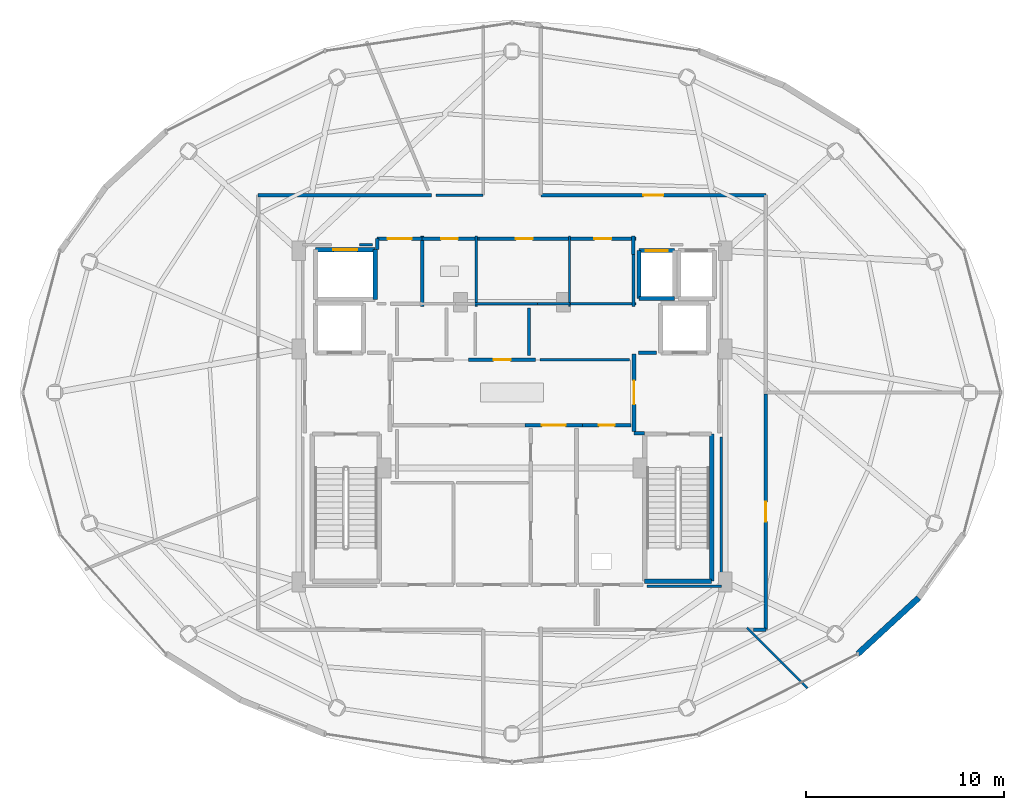
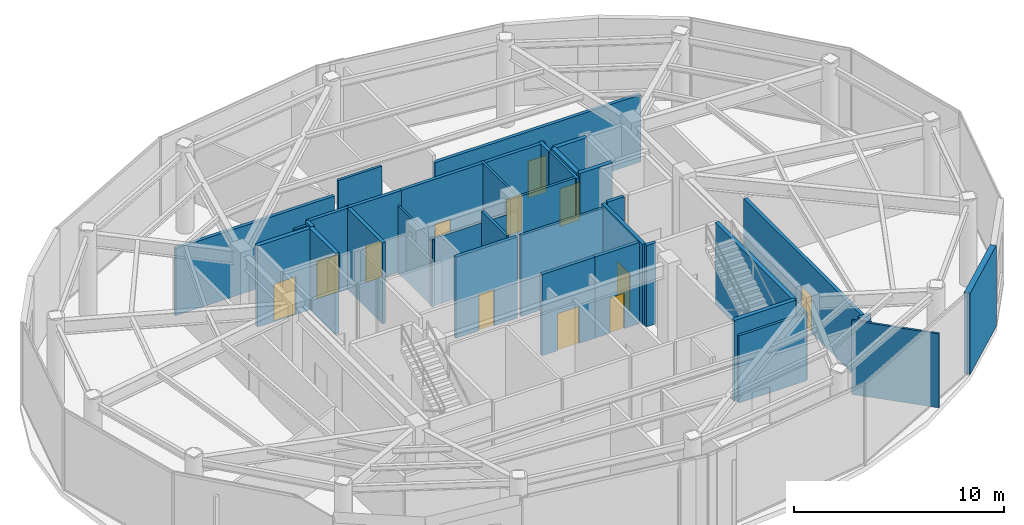
# One storey, part 21 of 24: 38 walls, 12 doors, 12 openings.
"""IFC4 building model written with IfcOpenShell, lengths in metres."""

from ifc_helpers import new_model, si_unit, direction, frame, frame_2d, origin, place, context, subcontext, project, spatial, rectangle, extrude, material, layer, layer_set, type_object, element, fill, save


model = new_model("IFC4")

# Units and contexts
model_context = context("Model", 3, precision=1e-05, world=origin(), true_north=direction((0.0, 1.0)))
body_context = subcontext(model_context, "Body", "Model", "MODEL_VIEW")
ifc_project = project(units=[si_unit("LENGTHUNIT", "METRE"), si_unit("AREAUNIT", "SQUARE_METRE"), si_unit("VOLUMEUNIT", "CUBIC_METRE"), si_unit("PLANEANGLEUNIT", "RADIAN"), si_unit("MASSUNIT", "GRAM", prefix="KILO")], contexts=[model_context])

# Site, building, storey
site_placement = place(None, origin())
site = spatial("IfcSite", under=ifc_project, at=site_placement, CompositionType="ELEMENT")
building_placement = place(site_placement, origin())
building = spatial("IfcBuilding", under=site, at=building_placement, Name="Vorneva Point Tower", CompositionType="ELEMENT")
storey_placement = place(building_placement, frame((0.0, 0.0, 290.39990234375)))
storey = spatial("IfcBuildingStorey", under=building, at=storey_placement, Name="L78", CompositionType="ELEMENT", Elevation=290.39990234375)

# Walls
ifc_material_1 = material(Name="Precast concrete B50 (C40/50)", Category="concrete")
ifc_layer_1 = layer(ifc_material_1, 0.300048828125)
ifc_layer_set_1 = layer_set([ifc_layer_1], Name="Precast concrete B50 (C40/50)")
wall_type_1 = type_object("IfcWallType", Name="WL-EXT-300", PredefinedType="STANDARD", material=ifc_layer_set_1)
wall_1_placement = place(storey_placement, frame((55.43017578125, 12.82666015625, 0.0), z_axis=(0.0, 0.0, 1.0), x_axis=(0.735595808164, 0.677420701641, 0.0)))
element("IfcWall", 1, at=wall_1_placement, inside=storey, type_object=wall_type_1, Name="L78 Pale-Metal Facade Spandrel Wall 15.1", PredefinedType="STANDARD", context=body_context, shape_type="SweptSolid", body=[
    extrude(rectangle(XDim=4.167236328125, YDim=0.300048828125, at=frame_2d((2.08349609375, 0.0))), origin(), (0.0, 0.0, 1.0), 4.72021484375),
])
ifc_material_2 = material(Name="Fire-rated acoustic gypsum stud partition", Category="gypsum")
ifc_layer_2 = layer(ifc_material_2, 0.110107421875)
ifc_layer_set_2 = layer_set([ifc_layer_2], Name="Fire-rated acoustic gypsum stud partition")
wall_type_2 = type_object("IfcWallType", Name="WL-PART-110", PredefinedType="PARTITIONING", material=ifc_layer_set_2)
wall_2_placement = place(storey_placement, frame((36.199951171875, 30.340087890625, 0.0), z_axis=(0.0, 0.0, 1.0), x_axis=(0.0, 1.0, 0.0)))
element("IfcWall", 2, at=wall_2_placement, inside=storey, type_object=wall_type_2, Name="L78 Interior Partition 020", PredefinedType="PARTITIONING", context=body_context, shape_type="SweptSolid", body=[
    extrude(rectangle(XDim=3.559814453125, YDim=0.110107421875, at=frame_2d((1.77978515625, 0.0))), origin(), (0.0, 0.0, 1.0), 3.912109375),
])
wall_3_placement = place(storey_placement, frame((40.89990234375, 30.340087890625, 0.0), z_axis=(0.0, 0.0, 1.0), x_axis=(0.0, 1.0, 0.0)))
element("IfcWall", 3, at=wall_3_placement, inside=storey, type_object=wall_type_2, Name="L78 Interior Partition 023", PredefinedType="PARTITIONING", context=body_context, shape_type="SweptSolid", body=[
    extrude(rectangle(XDim=3.559814453125, YDim=0.110107421875, at=frame_2d((1.77978515625, 0.0))), origin(), (0.0, 0.0, 1.0), 4.72021484375),
])
wall_4_placement = place(storey_placement, frame((36.110107421875, 30.47998046875, 0.0), z_axis=(0.0, 0.0, 1.0), x_axis=(1.0, 0.0, 0.0)))
element("IfcWall", 4, at=wall_4_placement, inside=storey, type_object=wall_type_2, Name="L78 Interior Partition 024", PredefinedType="PARTITIONING", context=body_context, shape_type="SweptSolid", body=[
    extrude(rectangle(XDim=3.2099609375, YDim=0.110107421875, at=frame_2d((1.60498046875, 0.0))), origin(), (0.0, 0.0, 1.0), 3.912109375),
])
wall_5_placement = place(storey_placement, frame((52.90087890625, 11.09912109375, 0.0), z_axis=(0.0, 0.0, 1.0), x_axis=(-0.707106781187, 0.707106781187, 0.0)))
element("IfcWall", 5, at=wall_5_placement, inside=storey, type_object=wall_type_2, Name="L78 Interior Partition 050", PredefinedType="PARTITIONING", context=body_context, shape_type="SweptSolid", body=[
    extrude(rectangle(XDim=4.31298828125, YDim=0.110107421875, at=frame_2d((2.156494140625, 0.0))), origin(), (0.0, 0.0, 1.0), 4.30419921875),
])
ifc_layer_3 = layer(ifc_material_2, 0.139892578125)
ifc_layer_set_3 = layer_set([ifc_layer_3], Name="Fire-rated acoustic gypsum stud partition")
wall_type_3 = type_object("IfcWallType", Name="WL-PART-140", PredefinedType="PARTITIONING", material=ifc_layer_set_3)
wall_6_placement = place(storey_placement, frame((43.929931640625, 27.64990234375, 0.0), z_axis=(0.0, 0.0, 1.0), x_axis=(-1.0, 0.0, 0.0)))
element("IfcWall", 6, at=wall_6_placement, inside=storey, type_object=wall_type_3, Name="L78 Interior Closure Partition 054", PredefinedType="PARTITIONING", context=body_context, shape_type="SweptSolid", body=[
    extrude(rectangle(XDim=4.52001953125, YDim=0.139892578125, at=frame_2d((2.260009765625, 0.0))), origin(), (0.0, 0.0, 1.0), 4.72021484375),
])
wall_7_placement = place(storey_placement, frame((39.2900390625, 30.47998046875, 0.0), z_axis=(0.0, 0.0, 1.0), x_axis=(1.0, 0.0, 0.0)))
element("IfcWall", 7, at=wall_7_placement, inside=storey, type_object=wall_type_3, Name="L78 Interior Closure Partition 056", PredefinedType="PARTITIONING", context=body_context, shape_type="SweptSolid", body=[
    extrude(rectangle(XDim=1.639892578125, YDim=0.139892578125, at=frame_2d((0.81982421875, 0.0))), origin(), (0.0, 0.0, 1.0), 3.912109375),
])
wall_8_placement = place(storey_placement, frame((40.949951171875, 30.47998046875, 0.0), z_axis=(0.0, 0.0, 1.0), x_axis=(1.0, 0.0, 0.0)))
element("IfcWall", 8, at=wall_8_placement, inside=storey, type_object=wall_type_3, Name="L78 Interior Closure Partition 057", PredefinedType="PARTITIONING", context=body_context, shape_type="SweptSolid", body=[
    extrude(rectangle(XDim=3.31005859375, YDim=0.139892578125, at=frame_2d((1.655029296875, 0.0))), origin(), (0.0, 0.0, 1.0), 4.72021484375),
])
wall_9_placement = place(storey_placement, frame((44.1201171875, 30.340087890625, 0.0), z_axis=(0.0, 0.0, 1.0), x_axis=(0.0, 1.0, 0.0)))
element("IfcWall", 9, at=wall_9_placement, inside=storey, type_object=wall_type_3, Name="L78 Interior Closure Partition 058", PredefinedType="PARTITIONING", context=body_context, shape_type="SweptSolid", body=[
    extrude(rectangle(XDim=2.659912109375, YDim=0.139892578125, at=frame_2d((1.330078125, 0.0))), origin(), (0.0, 0.0, 1.0), 4.72021484375),
])
wall_10_placement = place(storey_placement, frame((38.85009765625, 27.8701171875, 0.0), z_axis=(0.0, 0.0, 1.0), x_axis=(0.0, 1.0, 0.0)))
element("IfcWall", 10, at=wall_10_placement, inside=storey, type_object=wall_type_3, Name="L78 Interior Closure Partition 062", PredefinedType="PARTITIONING", context=body_context, shape_type="SweptSolid", body=[
    extrude(rectangle(XDim=2.389892578125, YDim=0.139892578125, at=frame_2d((1.19482421875, 0.0))), origin(), (0.0, 0.0, 1.0), 4.72021484375),
])
wall_11_placement = place(storey_placement, frame((36.550048828125, 35.949951171875, 0.0), z_axis=(0.0, 0.0, 1.0), x_axis=(-1.0, 0.0, 0.0)))
element("IfcWall", 11, at=wall_11_placement, inside=storey, type_object=wall_type_3, Name="L78 Interior Closure Partition 065", PredefinedType="PARTITIONING", context=body_context, shape_type="SweptSolid", body=[
    extrude(rectangle(XDim=2.39111328125, YDim=0.139892578125, at=frame_2d((1.195556640625, 0.0))), origin(), (0.0, 0.0, 1.0), 4.72021484375),
])
wall_12_placement = place(storey_placement, frame((44.804931640625, 16.239990234375, 0.0), z_axis=(0.0, 0.0, 1.0), x_axis=(1.0, 0.0, 0.0)))
element("IfcWall", 12, at=wall_12_placement, inside=storey, type_object=wall_type_3, Name="L78 Interior Closure Partition 067", PredefinedType="PARTITIONING", context=body_context, shape_type="SweptSolid", body=[
    extrude(rectangle(XDim=3.7451171875, YDim=0.139892578125, at=frame_2d((1.87255859375, 0.0))), origin(), (0.0, 0.0, 1.0), 3.912109375),
])
wall_13_placement = place(storey_placement, frame((48.550048828125, 16.239990234375, 0.0), z_axis=(0.0, 0.0, 1.0), x_axis=(0.0, 1.0, 0.0)))
element("IfcWall", 13, at=wall_13_placement, inside=storey, type_object=wall_type_3, Name="L78 Interior Closure Partition 068", PredefinedType="PARTITIONING", context=body_context, shape_type="SweptSolid", body=[
    extrude(rectangle(XDim=7.513916015625, YDim=0.139892578125, at=frame_2d((3.7568359375, 0.0))), origin(), (0.0, 0.0, 1.0), 3.912109375),
])
wall_14_placement = place(storey_placement, frame((30.97998046875, 33.449951171875, 0.0), z_axis=(0.0, 0.0, 1.0), x_axis=(-1.0, 0.0, 0.0)))
element("IfcWall", 14, at=wall_14_placement, inside=storey, type_object=wall_type_3, Name="L78 Interior Closure Partition 072", PredefinedType="PARTITIONING", context=body_context, shape_type="SweptSolid", body=[
    extrude(rectangle(XDim=0.674072265625, YDim=0.139892578125, at=frame_2d((0.3369140625, 0.0))), origin(), (0.0, 0.0, 1.0), 4.72021484375),
])

# Wall, opening, door
ifc_material_3 = material(Name="Autoclaved aerated concrete blockwork", Category="masonry")
ifc_layer_4 = layer(ifc_material_3, 0.179931640625)
ifc_layer_set_4 = layer_set([ifc_layer_4], Name="Autoclaved aerated concrete blockwork")
wall_type_4 = type_object("IfcWallType", Name="WL-PART-180", PredefinedType="PARTITIONING", material=ifc_layer_set_4)
wall_15_placement = place(storey_placement, frame((44.14990234375, 27.955078125, 0.0), z_axis=(0.0, 0.0, 1.0), x_axis=(0.0, -1.0, 0.0)))
wall_15 = element("IfcWall", 15, at=wall_15_placement, inside=storey, type_object=wall_type_4, Name="L78 Interior Partition 003", PredefinedType="PARTITIONING", context=body_context, shape_type="SweptSolid", body=[
    extrude(rectangle(XDim=3.91015625, YDim=0.179931640625, at=frame_2d((1.955078125, 0.0))), origin(), (0.0, 0.0, 1.0), 4.72021484375),
])
opening_1_placement = place(wall_15_placement, frame((1.35498046875, 0.0, 0.0)))
opening_1 = element("IfcOpeningElement", 16, at=opening_1_placement, cuts=wall_15, Name="Opening FD-02", PredefinedType="OPENING", context=body_context, shape_type="SweptSolid", body=[
    extrude(rectangle(XDim=1.199951171875, YDim=2.14990234375, at=frame_2d((0.60009765625, 1.074951171875))), frame((0.0, 0.10498046875, 0.0), z_axis=(0.0, -1.0, 0.0), x_axis=(1.0, 0.0, 0.0)), (0.0, 0.0, 1.0), 0.209716796875),
])
ifc_material_4 = material(Name="Fire-rated powder-coated steel", Category="steel")
door_type_1 = type_object("IfcDoorType", Name="DR-FFL-1200", OperationType="NOTDEFINED", PredefinedType="DOOR", material=ifc_material_4)
door_1_placement = place(opening_1_placement, origin())
door_1 = element("IfcDoor", 17, at=door_1_placement, inside=storey, type_object=door_type_1, Name="L78 Door East Firefighting Lobby / Central Lift Lobby", OperationType="SINGLE_SWING_LEFT", OverallHeight=2.14990234375, OverallWidth=1.199951171875, PredefinedType="DOOR", context=body_context, shape_type="SweptSolid", body=[
    extrude(rectangle(XDim=1.199951171875, YDim=2.14990234375, at=frame_2d((0.60009765625, 1.074951171875))), frame((0.0, 0.02490234375, 0.0), z_axis=(0.0, -1.0, 0.0), x_axis=(1.0, 0.0, 0.0)), (0.0, 0.0, 1.0), 0.050048828125),
])
fill(opening_1, door_1)

# Walls
wall_16_placement = place(storey_placement, frame((44.14990234375, 23.949951171875, 0.0), z_axis=(0.0, 0.0, 1.0), x_axis=(1.0, 0.0, 0.0)))
element("IfcWall", 18, at=wall_16_placement, inside=storey, type_object=wall_type_4, Name="L78 Interior Partition 004", PredefinedType="PARTITIONING", context=body_context, shape_type="SweptSolid", body=[
    extrude(rectangle(XDim=0.5400390625, YDim=0.179931640625, at=frame_2d((0.27001953125, 0.0))), origin(), (0.0, 0.0, 1.0), 4.72021484375),
])
wall_17_placement = place(storey_placement, frame((33.469970703125, 30.340087890625, 0.0), z_axis=(0.0, 0.0, 1.0), x_axis=(0.0, 1.0, 0.0)))
element("IfcWall", 19, at=wall_17_placement, inside=storey, type_object=wall_type_4, Name="L78 Interior Partition 006", PredefinedType="PARTITIONING", context=body_context, shape_type="SweptSolid", body=[
    extrude(rectangle(XDim=3.559814453125, YDim=0.179931640625, at=frame_2d((1.77978515625, 0.0))), origin(), (0.0, 0.0, 1.0), 4.72021484375),
])

# Wall, opening, door
wall_18_placement = place(storey_placement, frame((33.469970703125, 33.760009765625, 0.0), z_axis=(0.0, 0.0, 1.0), x_axis=(-1.0, 0.0, 0.0)))
wall_18 = element("IfcWall", 20, at=wall_18_placement, inside=storey, type_object=wall_type_4, Name="L78 Interior Partition 008", PredefinedType="PARTITIONING", context=body_context, shape_type="SweptSolid", body=[
    extrude(rectangle(XDim=2.27001953125, YDim=0.179931640625, at=frame_2d((1.135009765625, 0.0))), origin(), (0.0, 0.0, 1.0), 4.72021484375),
])
opening_2_placement = place(wall_18_placement, frame((0.534912109375, 0.0, 0.0)))
opening_2 = element("IfcOpeningElement", 21, at=opening_2_placement, cuts=wall_18, Name="Opening FD-02", PredefinedType="OPENING", context=body_context, shape_type="SweptSolid", body=[
    extrude(rectangle(XDim=1.199951171875, YDim=2.14990234375, at=frame_2d((0.60009765625, 1.074951171875))), frame((0.0, 0.10498046875, 0.0), z_axis=(0.0, -1.0, 0.0), x_axis=(1.0, 0.0, 0.0)), (0.0, 0.0, 1.0), 0.209716796875),
])
door_2_placement = place(opening_2_placement, origin())
door_2 = element("IfcDoor", 22, at=door_2_placement, inside=storey, type_object=door_type_1, Name="L78 Door Service Lift Lobby / L78 Circulation Corridor", OperationType="SINGLE_SWING_LEFT", OverallHeight=2.14990234375, OverallWidth=1.199951171875, PredefinedType="DOOR", context=body_context, shape_type="SweptSolid", body=[
    extrude(rectangle(XDim=1.199951171875, YDim=2.14990234375, at=frame_2d((0.60009765625, 1.074951171875))), frame((0.0, 0.02490234375, 0.0), z_axis=(0.0, -1.0, 0.0), x_axis=(1.0, 0.0, 0.0)), (0.0, 0.0, 1.0), 0.050048828125),
])
fill(opening_2, door_2)

# Wall
wall_19_placement = place(storey_placement, frame((31.199951171875, 33.760009765625, 0.0), z_axis=(0.0, 0.0, 1.0), x_axis=(0.0, -1.0, 0.0)))
element("IfcWall", 23, at=wall_19_placement, inside=storey, type_object=wall_type_4, Name="L78 Interior Partition 009", PredefinedType="PARTITIONING", context=body_context, shape_type="SweptSolid", body=[
    extrude(rectangle(XDim=0.56005859375, YDim=0.179931640625, at=frame_2d((0.280029296875, 0.0))), origin(), (0.0, 0.0, 1.0), 4.72021484375),
])

# Wall, opening, door
wall_20_placement = place(storey_placement, frame((38.64501953125, 24.35009765625, 0.0), z_axis=(0.0, 0.0, 1.0), x_axis=(1.0, 0.0, 0.0)))
wall_20 = element("IfcWall", 24, at=wall_20_placement, inside=storey, type_object=wall_type_4, Name="L78 Interior Partition 010", PredefinedType="PARTITIONING", context=body_context, shape_type="SweptSolid", body=[
    extrude(rectangle(XDim=2.909912109375, YDim=0.179931640625, at=frame_2d((1.455078125, 0.0))), origin(), (0.0, 0.0, 1.0), 4.72021484375),
])
opening_3_placement = place(wall_20_placement, frame((0.85498046875, 0.0, 0.0)))
opening_3 = element("IfcOpeningElement", 25, at=opening_3_placement, cuts=wall_20, Name="Opening FD-02", PredefinedType="OPENING", context=body_context, shape_type="SweptSolid", body=[
    extrude(rectangle(XDim=1.199951171875, YDim=2.14990234375, at=frame_2d((0.60009765625, 1.074951171875))), frame((0.0, 0.10498046875, 0.0), z_axis=(0.0, -1.0, 0.0), x_axis=(1.0, 0.0, 0.0)), (0.0, 0.0, 1.0), 0.209716796875),
])
door_3_placement = place(opening_3_placement, origin())
door_3 = element("IfcDoor", 26, at=door_3_placement, inside=storey, type_object=door_type_1, Name="L78 Door Central Lift Lobby / Core Service Lobby", OperationType="SINGLE_SWING_RIGHT", OverallHeight=2.14990234375, OverallWidth=1.199951171875, PredefinedType="DOOR", context=body_context, shape_type="SweptSolid", body=[
    extrude(rectangle(XDim=1.199951171875, YDim=2.14990234375, at=frame_2d((0.60009765625, 1.074951171875))), frame((0.0, 0.02490234375, 0.0), z_axis=(0.0, -1.0, 0.0), x_axis=(1.0, 0.0, 0.0)), (0.0, 0.0, 1.0), 0.050048828125),
])
fill(opening_3, door_3)

wall_21_placement = place(storey_placement, frame((41.554931640625, 24.35009765625, 0.0), z_axis=(0.0, 0.0, 1.0), x_axis=(1.0, 0.0, 0.0)))
wall_21 = element("IfcWall", 27, at=wall_21_placement, inside=storey, type_object=wall_type_4, Name="L78 Interior Partition 011", PredefinedType="PARTITIONING", context=body_context, shape_type="SweptSolid", body=[
    extrude(rectangle(XDim=2.445068359375, YDim=0.179931640625, at=frame_2d((1.22265625, 0.0))), origin(), (0.0, 0.0, 1.0), 4.72021484375),
])
opening_4_placement = place(wall_21_placement, frame((0.822509765625, 0.0, 0.0)))
opening_4 = element("IfcOpeningElement", 28, at=opening_4_placement, cuts=wall_21, Name="Opening RD-01", PredefinedType="OPENING", context=body_context, shape_type="SweptSolid", body=[
    extrude(rectangle(XDim=0.800048828125, YDim=2.050048828125, at=frame_2d((0.39990234375, 1.02490234375))), frame((0.0, 0.10498046875, 0.0), z_axis=(0.0, -1.0, 0.0), x_axis=(1.0, 0.0, 0.0)), (0.0, 0.0, 1.0), 0.209716796875),
])
door_type_2 = type_object("IfcDoorType", Name="DR-RSR-800", OperationType="SINGLE_SWING_LEFT", PredefinedType="DOOR", material=ifc_material_4)
door_4_placement = place(opening_4_placement, origin())
door_4 = element("IfcDoor", 29, at=door_4_placement, inside=storey, type_object=door_type_2, Name="L78 Door Central Lift Lobby / Electrical Riser", OperationType="SINGLE_SWING_LEFT", OverallHeight=2.050048828125, OverallWidth=0.800048828125, PredefinedType="DOOR", context=body_context, shape_type="SweptSolid", body=[
    extrude(rectangle(XDim=0.800048828125, YDim=2.050048828125, at=frame_2d((0.39990234375, 1.02490234375))), frame((0.0, 0.02490234375, 0.0), z_axis=(0.0, -1.0, 0.0), x_axis=(1.0, 0.0, 0.0)), (0.0, 0.0, 1.0), 0.050048828125),
])
fill(opening_4, door_4)

wall_22_placement = place(storey_placement, frame((39.18994140625, 27.64990234375, 0.0), z_axis=(0.0, 0.0, 1.0), x_axis=(-1.0, 0.0, 0.0)))
wall_22 = element("IfcWall", 30, at=wall_22_placement, inside=storey, type_object=wall_type_4, Name="L78 Interior Partition 013", PredefinedType="PARTITIONING", context=body_context, shape_type="SweptSolid", body=[
    extrude(rectangle(XDim=3.3798828125, YDim=0.179931640625, at=frame_2d((1.68994140625, 0.0))), origin(), (0.0, 0.0, 1.0), 4.72021484375),
])
opening_5_placement = place(wall_22_placement, frame((1.264892578125, 0.0, 0.0)))
opening_5 = element("IfcOpeningElement", 31, at=opening_5_placement, cuts=wall_22, Name="Opening ID-02", PredefinedType="OPENING", context=body_context, shape_type="SweptSolid", body=[
    extrude(rectangle(XDim=0.85009765625, YDim=2.10009765625, at=frame_2d((0.425048828125, 1.050048828125))), frame((0.0, 0.10498046875, 0.0), z_axis=(0.0, -1.0, 0.0), x_axis=(1.0, 0.0, 0.0)), (0.0, 0.0, 1.0), 0.209716796875),
])
ifc_material_5 = material(Name="Engineered oak fire-rated door leaf", Category="wood")
door_type_3 = type_object("IfcDoorType", Name="DR-BATH-850", OperationType="NOTDEFINED", PredefinedType="DOOR", material=ifc_material_5)
door_5_placement = place(opening_5_placement, origin())
door_5 = element("IfcDoor", 32, at=door_5_placement, inside=storey, type_object=door_type_3, Name="L78 Door Central Lift Lobby / Reclaimed Core Archive Store", OperationType="SINGLE_SWING_LEFT", OverallHeight=2.10009765625, OverallWidth=0.85009765625, PredefinedType="DOOR", context=body_context, shape_type="SweptSolid", body=[
    extrude(rectangle(XDim=0.85009765625, YDim=2.10009765625, at=frame_2d((0.425048828125, 1.050048828125))), frame((0.0, 0.02490234375, 0.0), z_axis=(0.0, -1.0, 0.0), x_axis=(1.0, 0.0, 0.0)), (0.0, 0.0, 1.0), 0.050048828125),
])
fill(opening_5, door_5)

wall_23_placement = place(storey_placement, frame((36.340087890625, 33.760009765625, 0.0), z_axis=(0.0, 0.0, 1.0), x_axis=(-1.0, 0.0, 0.0)))
wall_23 = element("IfcWall", 33, at=wall_23_placement, inside=storey, type_object=wall_type_4, Name="L78 Interior Partition 022", PredefinedType="PARTITIONING", context=body_context, shape_type="SweptSolid", body=[
    extrude(rectangle(XDim=2.97998046875, YDim=0.179931640625, at=frame_2d((1.489990234375, 0.0))), origin(), (0.0, 0.0, 1.0), 4.72021484375),
])
opening_6_placement = place(wall_23_placement, frame((1.06494140625, 0.0, 0.0)))
opening_6 = element("IfcOpeningElement", 34, at=opening_6_placement, cuts=wall_23, Name="Opening ID-02", PredefinedType="OPENING", context=body_context, shape_type="SweptSolid", body=[
    extrude(rectangle(XDim=0.85009765625, YDim=2.10009765625, at=frame_2d((0.425048828125, 1.050048828125))), frame((0.0, 0.10498046875, 0.0), z_axis=(0.0, -1.0, 0.0), x_axis=(1.0, 0.0, 0.0)), (0.0, 0.0, 1.0), 0.209716796875),
])
door_6_placement = place(opening_6_placement, origin())
door_6 = element("IfcDoor", 35, at=door_6_placement, inside=storey, type_object=door_type_3, Name="L78 Door Public Male WC / L78 Circulation Corridor", OperationType="SINGLE_SWING_RIGHT", OverallHeight=2.10009765625, OverallWidth=0.85009765625, PredefinedType="DOOR", context=body_context, shape_type="SweptSolid", body=[
    extrude(rectangle(XDim=0.85009765625, YDim=2.10009765625, at=frame_2d((0.425048828125, 1.050048828125))), frame((0.0, 0.02490234375, 0.0), z_axis=(0.0, -1.0, 0.0), x_axis=(1.0, 0.0, 0.0)), (0.0, 0.0, 1.0), 0.050048828125),
])
fill(opening_6, door_6)

wall_24_placement = place(storey_placement, frame((41.0400390625, 33.760009765625, 0.0), z_axis=(0.0, 0.0, 1.0), x_axis=(-1.0, 0.0, 0.0)))
wall_24 = element("IfcWall", 36, at=wall_24_placement, inside=storey, type_object=wall_type_4, Name="L78 Interior Partition 025", PredefinedType="PARTITIONING", context=body_context, shape_type="SweptSolid", body=[
    extrude(rectangle(XDim=4.840087890625, YDim=0.179931640625, at=frame_2d((2.419921875, 0.0))), origin(), (0.0, 0.0, 1.0), 4.72021484375),
])
opening_7_placement = place(wall_24_placement, frame((1.9951171875, 0.0, 0.0)))
opening_7 = element("IfcOpeningElement", 37, at=opening_7_placement, cuts=wall_24, Name="Opening ID-02", PredefinedType="OPENING", context=body_context, shape_type="SweptSolid", body=[
    extrude(rectangle(XDim=0.85009765625, YDim=2.10009765625, at=frame_2d((0.425048828125, 1.050048828125))), frame((0.0, 0.10498046875, 0.0), z_axis=(0.0, -1.0, 0.0), x_axis=(1.0, 0.0, 0.0)), (0.0, 0.0, 1.0), 0.209716796875),
])
door_7_placement = place(opening_7_placement, origin())
door_7 = element("IfcDoor", 38, at=door_7_placement, inside=storey, type_object=door_type_3, Name="L78 Door Public Female WC / L78 Circulation Corridor", OperationType="SINGLE_SWING_LEFT", OverallHeight=2.10009765625, OverallWidth=0.85009765625, PredefinedType="DOOR", context=body_context, shape_type="SweptSolid", body=[
    extrude(rectangle(XDim=0.85009765625, YDim=2.10009765625, at=frame_2d((0.425048828125, 1.050048828125))), frame((0.0, 0.02490234375, 0.0), z_axis=(0.0, -1.0, 0.0), x_axis=(1.0, 0.0, 0.0)), (0.0, 0.0, 1.0), 0.050048828125),
])
fill(opening_7, door_7)

wall_25_placement = place(storey_placement, frame((44.260009765625, 33.760009765625, 0.0), z_axis=(0.0, 0.0, 1.0), x_axis=(-1.0, 0.0, 0.0)))
wall_25 = element("IfcWall", 39, at=wall_25_placement, inside=storey, type_object=wall_type_4, Name="L78 Interior Partition 026", PredefinedType="PARTITIONING", context=body_context, shape_type="SweptSolid", body=[
    extrude(rectangle(XDim=3.360107421875, YDim=0.179931640625, at=frame_2d((1.68017578125, 0.0))), origin(), (0.0, 0.0, 1.0), 4.72021484375),
])
opening_8_placement = place(wall_25_placement, frame((1.2548828125, 0.0, 0.0)))
opening_8 = element("IfcOpeningElement", 40, at=opening_8_placement, cuts=wall_25, Name="Opening ID-02", PredefinedType="OPENING", context=body_context, shape_type="SweptSolid", body=[
    extrude(rectangle(XDim=0.85009765625, YDim=2.10009765625, at=frame_2d((0.425048828125, 1.050048828125))), frame((0.0, 0.10498046875, 0.0), z_axis=(0.0, -1.0, 0.0), x_axis=(1.0, 0.0, 0.0)), (0.0, 0.0, 1.0), 0.209716796875),
])
door_8_placement = place(opening_8_placement, origin())
door_8 = element("IfcDoor", 41, at=door_8_placement, inside=storey, type_object=door_type_3, Name="L78 Door Accessible WC / L78 Circulation Corridor", OperationType="SINGLE_SWING_RIGHT", OverallHeight=2.10009765625, OverallWidth=0.85009765625, PredefinedType="DOOR", context=body_context, shape_type="SweptSolid", body=[
    extrude(rectangle(XDim=0.85009765625, YDim=2.10009765625, at=frame_2d((0.425048828125, 1.050048828125))), frame((0.0, 0.02490234375, 0.0), z_axis=(0.0, -1.0, 0.0), x_axis=(1.0, 0.0, 0.0)), (0.0, 0.0, 1.0), 0.050048828125),
])
fill(opening_8, door_8)

# Wall
wall_26_placement = place(storey_placement, frame((44.1201171875, 32.969970703125, 0.0), z_axis=(0.0, 0.0, 1.0), x_axis=(0.0, 1.0, 0.0)))
element("IfcWall", 42, at=wall_26_placement, inside=storey, type_object=wall_type_4, Name="L78 Interior Partition 027", PredefinedType="PARTITIONING", context=body_context, shape_type="SweptSolid", body=[
    extrude(rectangle(XDim=0.929931640625, YDim=0.179931640625, at=frame_2d((0.46484375, 0.0))), origin(), (0.0, 0.0, 1.0), 4.72021484375),
])

# Wall, opening, door
wall_27_placement = place(storey_placement, frame((50.800048828125, 35.949951171875, 0.0), z_axis=(0.0, 0.0, 1.0), x_axis=(-1.0, 0.0, 0.0)))
wall_27 = element("IfcWall", 43, at=wall_27_placement, inside=storey, type_object=wall_type_4, Name="L78 Interior Partition 035", PredefinedType="PARTITIONING", context=body_context, shape_type="SweptSolid", body=[
    extrude(rectangle(XDim=11.35009765625, YDim=0.179931640625, at=frame_2d((5.675048828125, 0.0))), origin(), (0.0, 0.0, 1.0), 3.912109375),
])
opening_9_placement = place(wall_27_placement, frame((5.175048828125, 0.0, 0.0)))
opening_9 = element("IfcOpeningElement", 44, at=opening_9_placement, cuts=wall_27, Name="Opening UD-01", PredefinedType="OPENING", context=body_context, shape_type="SweptSolid", body=[
    extrude(rectangle(XDim=1.0, YDim=2.14990234375, at=frame_2d((0.5, 1.074951171875))), frame((0.0, 0.10498046875, 0.0), z_axis=(0.0, -1.0, 0.0), x_axis=(1.0, 0.0, 0.0)), (0.0, 0.0, 1.0), 0.209716796875),
])
door_type_4 = type_object("IfcDoorType", Name="DR-UNIT-1000", OperationType="NOTDEFINED", PredefinedType="DOOR", material=ifc_material_5)
door_9_placement = place(opening_9_placement, origin())
door_9 = element("IfcDoor", 45, at=door_9_placement, inside=storey, type_object=door_type_4, Name="L78 Door L78 Circulation Corridor / Sky Lookout Restaurant Dining Hall", OperationType="SINGLE_SWING_LEFT", OverallHeight=2.14990234375, OverallWidth=1.0, PredefinedType="DOOR", context=body_context, shape_type="SweptSolid", body=[
    extrude(rectangle(XDim=1.0, YDim=2.14990234375, at=frame_2d((0.5, 1.074951171875))), frame((0.0, 0.02490234375, 0.0), z_axis=(0.0, -1.0, 0.0), x_axis=(1.0, 0.0, 0.0)), (0.0, 0.0, 1.0), 0.050048828125),
])
fill(opening_9, door_9)

# Walls
wall_28_placement = place(storey_placement, frame((33.93896484375, 35.949951171875, 0.0), z_axis=(0.0, 0.0, 1.0), x_axis=(-1.0, 0.0, 0.0)))
element("IfcWall", 46, at=wall_28_placement, inside=storey, type_object=wall_type_4, Name="L78 Interior Partition 037", PredefinedType="PARTITIONING", context=body_context, shape_type="SweptSolid", body=[
    extrude(rectangle(XDim=8.739013671875, YDim=0.179931640625, at=frame_2d((4.36962890625, 0.0))), origin(), (0.0, 0.0, 1.0), 3.912109375),
])
wall_29_placement = place(storey_placement, frame((50.175048828125, 14.050048828125, 0.0), z_axis=(0.0, 0.0, 1.0), x_axis=(1.0, 0.0, 0.0)))
element("IfcWall", 47, at=wall_29_placement, inside=storey, type_object=wall_type_4, Name="L78 Interior Partition 046", PredefinedType="PARTITIONING", context=body_context, shape_type="SweptSolid", body=[
    extrude(rectangle(XDim=0.625, YDim=0.179931640625, at=frame_2d((0.3125, 0.0))), origin(), (0.0, 0.0, 1.0), 4.4091796875),
])

# Wall, opening, door
wall_30_placement = place(storey_placement, frame((50.800048828125, 14.050048828125, 0.0), z_axis=(0.0, 0.0, 1.0), x_axis=(0.0, 1.0, 0.0)))
wall_30 = element("IfcWall", 48, at=wall_30_placement, inside=storey, type_object=wall_type_4, Name="L78 Interior Partition 047", PredefinedType="PARTITIONING", context=body_context, shape_type="SweptSolid", body=[
    extrude(rectangle(XDim=11.889892578125, YDim=0.179931640625, at=frame_2d((5.94482421875, 0.0))), origin(), (0.0, 0.0, 1.0), 3.912109375),
])
opening_10_placement = place(wall_30_placement, frame((5.445068359375, 0.0, 0.0)))
opening_10 = element("IfcOpeningElement", 49, at=opening_10_placement, cuts=wall_30, Name="Opening UD-01", PredefinedType="OPENING", context=body_context, shape_type="SweptSolid", body=[
    extrude(rectangle(XDim=1.0, YDim=2.14990234375, at=frame_2d((0.5, 1.074951171875))), frame((0.0, 0.10498046875, 0.0), z_axis=(0.0, -1.0, 0.0), x_axis=(1.0, 0.0, 0.0)), (0.0, 0.0, 1.0), 0.209716796875),
])
door_10_placement = place(opening_10_placement, origin())
door_10 = element("IfcDoor", 50, at=door_10_placement, inside=storey, type_object=door_type_4, Name="L78 Door L78 Circulation Corridor / Sommelier Wine Bar", OperationType="SINGLE_SWING_LEFT", OverallHeight=2.14990234375, OverallWidth=1.0, PredefinedType="DOOR", context=body_context, shape_type="SweptSolid", body=[
    extrude(rectangle(XDim=1.0, YDim=2.14990234375, at=frame_2d((0.5, 1.074951171875))), frame((0.0, 0.02490234375, 0.0), z_axis=(0.0, -1.0, 0.0), x_axis=(1.0, 0.0, 0.0)), (0.0, 0.0, 1.0), 0.050048828125),
])
fill(opening_10, door_10)

# Walls
wall_31_placement = place(storey_placement, frame((45.280029296875, 28.0, 0.0), z_axis=(0.0, 0.0, 1.0), x_axis=(-1.0, 0.0, 0.0)))
element("IfcWall", 51, at=wall_31_placement, inside=storey, type_object=wall_type_4, Name="L78 Interior Closure Partition 052", PredefinedType="PARTITIONING", context=body_context, shape_type="SweptSolid", body=[
    extrude(rectangle(XDim=0.9150390625, YDim=0.179931640625, at=frame_2d((0.45751953125, 0.0))), origin(), (0.0, 0.0, 1.0), 4.72021484375),
])
ifc_material_6 = material(Name="Concrete B50 (C40/50)", Category="concrete")
ifc_layer_5 = layer(ifc_material_6, 0.219970703125)
ifc_layer_set_5 = layer_set([ifc_layer_5], Name="Concrete B50 (C40/50)")
wall_type_5 = type_object("IfcWallType", Name="WL-SHFT-220", PredefinedType="SOLIDWALL", material=ifc_layer_set_5)
wall_32_placement = place(storey_placement, frame((48.06005859375, 23.909912109375, 0.0), z_axis=(0.0, 0.0, 1.0), x_axis=(0.0, -1.0, 0.0)))
element("IfcWall", 52, at=wall_32_placement, inside=storey, type_object=wall_type_5, Name="L78 Exit Stair ST2 Shaft Wall right", PredefinedType="SOLIDWALL", context=body_context, shape_type="SweptSolid", body=[
    extrude(rectangle(XDim=7.419921875, YDim=0.219970703125, at=frame_2d((3.7099609375, 0.0))), origin(), (0.0, 0.0, 1.0), 4.72021484375),
])
wall_33_placement = place(storey_placement, frame((48.06005859375, 16.489990234375, 0.0), z_axis=(0.0, 0.0, 1.0), x_axis=(-1.0, 0.0, 0.0)))
element("IfcWall", 53, at=wall_33_placement, inside=storey, type_object=wall_type_5, Name="L78 Exit Stair ST2 Shaft Wall far", PredefinedType="SOLIDWALL", context=body_context, shape_type="SweptSolid", body=[
    extrude(rectangle(XDim=3.3701171875, YDim=0.219970703125, at=frame_2d((1.68505859375, 0.0))), origin(), (0.0, 0.0, 1.0), 4.72021484375),
])
wall_34_placement = place(storey_placement, frame((44.39990234375, 30.739990234375, 0.0), z_axis=(0.0, 0.0, 1.0), x_axis=(1.0, 0.0, 0.0)))
element("IfcWall", 54, at=wall_34_placement, inside=storey, type_object=wall_type_5, Name="L78 Lift EX1 Shaft Wall -Y", PredefinedType="SOLIDWALL", context=body_context, shape_type="SweptSolid", body=[
    extrude(rectangle(XDim=1.800048828125, YDim=0.219970703125, at=frame_2d((0.89990234375, 0.0))), origin(), (0.0, 0.0, 1.0), 4.72021484375),
])

# Wall, opening, door
wall_35_placement = place(storey_placement, frame((46.199951171875, 33.159912109375, 0.0), z_axis=(0.0, 0.0, 1.0), x_axis=(-1.0, 0.0, 0.0)))
wall_35 = element("IfcWall", 55, at=wall_35_placement, inside=storey, type_object=wall_type_5, Name="L78 Lift EX1 Shaft Wall +Y", PredefinedType="SOLIDWALL", context=body_context, shape_type="SweptSolid", body=[
    extrude(rectangle(XDim=1.800048828125, YDim=0.219970703125, at=frame_2d((0.89990234375, 0.0))), origin(), (0.0, 0.0, 1.0), 4.72021484375),
])
opening_11_placement = place(wall_35_placement, frame((0.35009765625, 0.0, 0.0)))
opening_11 = element("IfcOpeningElement", 56, at=opening_11_placement, cuts=wall_35, Name="Opening LD-01", PredefinedType="OPENING", context=body_context, shape_type="SweptSolid", body=[
    extrude(rectangle(XDim=1.10009765625, YDim=2.199951171875, at=frame_2d((0.550048828125, 1.10009765625))), frame((0.0, 0.125, 0.0), z_axis=(0.0, -1.0, 0.0), x_axis=(1.0, 0.0, 0.0)), (0.0, 0.0, 1.0), 0.249755859375),
])
ifc_material_7 = material(Name="Brushed stainless steel S304", Category="steel")
door_type_5 = type_object("IfcDoorType", Name="LD-PASS-1100", OperationType="SLIDING_TO_LEFT", PredefinedType="DOOR", material=ifc_material_7)
door_11_placement = place(opening_11_placement, origin())
door_11 = element("IfcDoor", 57, at=door_11_placement, inside=storey, type_object=door_type_5, Name="L78 Lift EX1 Sliding Landing Door", OperationType="SLIDING_TO_LEFT", OverallHeight=2.199951171875, OverallWidth=1.10009765625, PredefinedType="DOOR", context=body_context, shape_type="SweptSolid", body=[
    extrude(rectangle(XDim=1.10009765625, YDim=2.199951171875, at=frame_2d((0.550048828125, 1.10009765625))), frame((0.0, 0.02490234375, 0.0), z_axis=(0.0, -1.0, 0.0), x_axis=(1.0, 0.0, 0.0)), (0.0, 0.0, 1.0), 0.050048828125),
])
fill(opening_11, door_11)

# Walls
wall_36_placement = place(storey_placement, frame((44.39990234375, 33.159912109375, 0.0), z_axis=(0.0, 0.0, 1.0), x_axis=(0.0, -1.0, 0.0)))
element("IfcWall", 58, at=wall_36_placement, inside=storey, type_object=wall_type_5, Name="L78 Lift EX1 Shaft Wall -X", PredefinedType="SOLIDWALL", context=body_context, shape_type="SweptSolid", body=[
    extrude(rectangle(XDim=2.419921875, YDim=0.219970703125, at=frame_2d((1.2099609375, 0.0))), origin(), (0.0, 0.0, 1.0), 4.72021484375),
])
wall_37_placement = place(storey_placement, frame((31.10009765625, 30.699951171875, 0.0), z_axis=(0.0, 0.0, 1.0), x_axis=(0.0, 1.0, 0.0)))
element("IfcWall", 59, at=wall_37_placement, inside=storey, type_object=wall_type_5, Name="L78 Lift SVL1 Shaft Wall +X", PredefinedType="SOLIDWALL", context=body_context, shape_type="SweptSolid", body=[
    extrude(rectangle(XDim=2.5, YDim=0.219970703125, at=frame_2d((1.25, 0.0))), origin(), (0.0, 0.0, 1.0), 4.72021484375),
])

# Wall, opening, door
wall_38_placement = place(storey_placement, frame((31.10009765625, 33.199951171875, 0.0), z_axis=(0.0, 0.0, 1.0), x_axis=(-1.0, 0.0, 0.0)))
wall_38 = element("IfcWall", 60, at=wall_38_placement, inside=storey, type_object=wall_type_5, Name="L78 Lift SVL1 Shaft Wall +Y", PredefinedType="SOLIDWALL", context=body_context, shape_type="SweptSolid", body=[
    extrude(rectangle(XDim=3.0, YDim=0.219970703125, at=frame_2d((1.5, 0.0))), origin(), (0.0, 0.0, 1.0), 4.72021484375),
])
opening_12_placement = place(wall_38_placement, frame((0.89990234375, 0.0, 0.0)))
opening_12 = element("IfcOpeningElement", 61, at=opening_12_placement, cuts=wall_38, Name="Opening LD-02", PredefinedType="OPENING", context=body_context, shape_type="SweptSolid", body=[
    extrude(rectangle(XDim=1.199951171875, YDim=2.199951171875, at=frame_2d((0.60009765625, 1.10009765625))), frame((0.0, 0.125, 0.0), z_axis=(0.0, -1.0, 0.0), x_axis=(1.0, 0.0, 0.0)), (0.0, 0.0, 1.0), 0.249755859375),
])
door_type_6 = type_object("IfcDoorType", Name="LD-FIRE-1200", OperationType="SLIDING_TO_LEFT", PredefinedType="DOOR", material=ifc_material_7)
door_12_placement = place(opening_12_placement, origin())
door_12 = element("IfcDoor", 62, at=door_12_placement, inside=storey, type_object=door_type_6, Name="L78 Lift SVL1 Sliding Landing Door", OperationType="SLIDING_TO_LEFT", OverallHeight=2.199951171875, OverallWidth=1.199951171875, PredefinedType="DOOR", context=body_context, shape_type="SweptSolid", body=[
    extrude(rectangle(XDim=1.199951171875, YDim=2.199951171875, at=frame_2d((0.60009765625, 1.10009765625))), frame((0.0, 0.02490234375, 0.0), z_axis=(0.0, -1.0, 0.0), x_axis=(1.0, 0.0, 0.0)), (0.0, 0.0, 1.0), 0.050048828125),
])
fill(opening_12, door_12)

save(model, "model.ifc")
